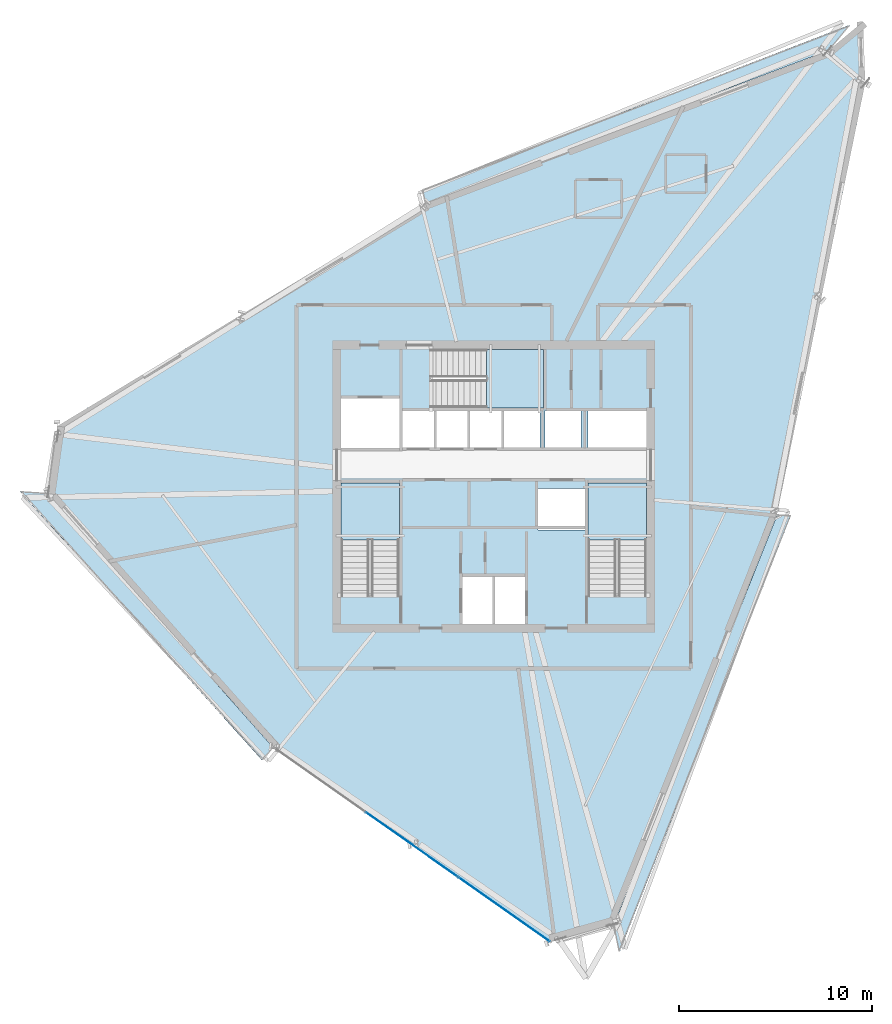
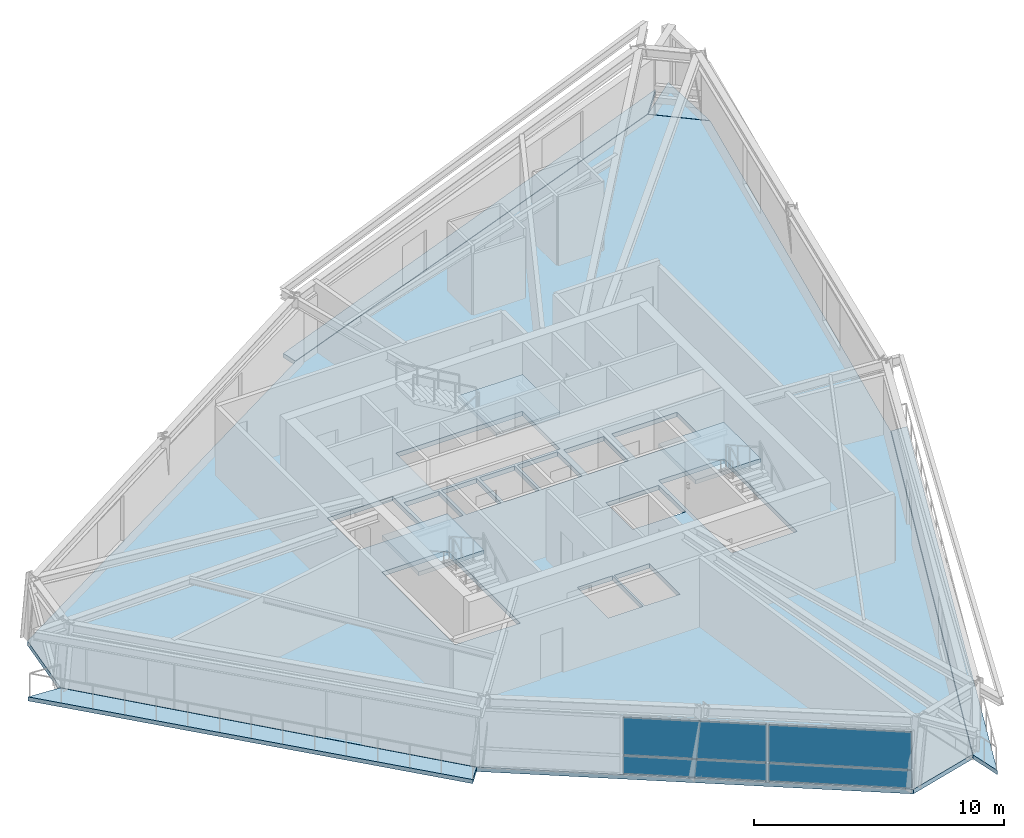
# One storey, part 5 of 13: 8 slabs, 4 plates, 4 elements without a shape of their own.
"""IFC4 building model written with IfcOpenShell, lengths in metres."""

from ifc_helpers import new_model, si_unit, direction, frame, origin, origin_2d, place, context, subcontext, project, spatial, polyline, rectangle, outline, extrude, source, transform, mapped, material, layer, layer_set, type_object, element, aggregate, save


model = new_model("IFC4")

# Units and contexts
model_context = context("Model", 3, precision=1e-05, world=origin(), true_north=direction((0.0, 1.0)))
body_context = subcontext(model_context, "Body", "Model", "MODEL_VIEW")
ifc_project = project(units=[si_unit("LENGTHUNIT", "METRE"), si_unit("AREAUNIT", "SQUARE_METRE"), si_unit("VOLUMEUNIT", "CUBIC_METRE"), si_unit("PLANEANGLEUNIT", "RADIAN"), si_unit("MASSUNIT", "GRAM", prefix="KILO")], contexts=[model_context])

# Site, building, storey
site_placement = place(None, origin())
site = spatial("IfcSite", under=ifc_project, at=site_placement, CompositionType="ELEMENT")
building_placement = place(site_placement, origin())
building = spatial("IfcBuilding", under=site, at=building_placement, Name="Olszyna Solenne Hotel", CompositionType="ELEMENT")
storey_placement = place(building_placement, frame((0.0, 0.0, 238.10009765625)))
storey = spatial("IfcBuildingStorey", under=building, at=storey_placement, Name="L63", CompositionType="ELEMENT", Elevation=238.10009765625)

# Stair, slab
ifc_material_1 = material(Name="Concrete C40/50", Category="concrete")
stair_type = type_object("IfcStairType", Name="STR-C1", PredefinedType="TWO_QUARTER_WINDING_STAIR", material=ifc_material_1)
stair_1_placement = place(storey_placement, origin())
stair_1 = element("IfcStair", 1, at=stair_1_placement, inside=storey, type_object=stair_type, Name="L63 ST1", PredefinedType="TWO_QUARTER_WINDING_STAIR")
ifc_layer_1 = layer(ifc_material_1, 0.18994140625, Name="Concrete C40/50")
ifc_layer_set_1 = layer_set([ifc_layer_1], Name="Concrete C40/50")
slab_type_1 = type_object("IfcSlabType", Name="SL-LN190", PredefinedType="LANDING", material=ifc_layer_set_1)
slab_1_placement = place(storey_placement, frame((0.0, 0.0, 1.599853515625)))
slab_1 = element("IfcSlab", 2, at=slab_1_placement, type_object=slab_type_1, Name="ST1 landing 1", PredefinedType="LANDING", context=body_context, shape_type="SweptSolid", body=[
    extrude(outline(polyline([(33.1201171875, 23.85009765625), (33.1201171875, 26.800048828125), (30.10009765625, 26.800048828125), (30.10009765625, 23.85009765625), (33.1201171875, 23.85009765625)])), origin(), (0.0, 0.0, 1.0), 0.199951171875),
])
aggregate(stair_1, [slab_1])

stair_2_placement = place(storey_placement, origin())
stair_2 = element("IfcStair", 3, at=stair_2_placement, inside=storey, type_object=stair_type, Name="L63 ST2", PredefinedType="TWO_QUARTER_WINDING_STAIR")
slab_2_placement = place(storey_placement, frame((0.0, 0.0, 1.599853515625)))
slab_2 = element("IfcSlab", 4, at=slab_2_placement, type_object=slab_type_1, Name="ST2 landing 1", PredefinedType="LANDING", context=body_context, shape_type="SweptSolid", body=[
    extrude(outline(polyline([(45.89990234375, 23.85009765625), (45.89990234375, 26.800048828125), (42.8798828125, 26.800048828125), (42.8798828125, 23.85009765625), (45.89990234375, 23.85009765625)])), origin(), (0.0, 0.0, 1.0), 0.199951171875),
])
aggregate(stair_2, [slab_2])

stair_3_placement = place(storey_placement, origin())
stair_3 = element("IfcStair", 5, at=stair_3_placement, inside=storey, type_object=stair_type, Name="L63 ST3", PredefinedType="TWO_QUARTER_WINDING_STAIR")
slab_3_placement = place(storey_placement, frame((0.0, 0.0, 1.599853515625)))
slab_3 = element("IfcSlab", 6, at=slab_3_placement, type_object=slab_type_1, Name="ST3 landing 1", PredefinedType="LANDING", context=body_context, shape_type="SweptSolid", body=[
    extrude(outline(polyline([(37.6298828125, 30.679931640625), (40.580078125, 30.679931640625), (40.580078125, 33.699951171875), (37.6298828125, 33.699951171875), (37.6298828125, 30.679931640625)])), origin(), (0.0, 0.0, 1.0), 0.199951171875),
])
aggregate(stair_3, [slab_3])

# Slabs
ifc_material_2 = material(Name="Precast concrete C45/55", Category="concrete")
ifc_layer_2 = layer(ifc_material_2, 0.199951171875, Name="Precast concrete C45/55")
ifc_layer_set_2 = layer_set([ifc_layer_2], Name="Precast concrete C45/55")
slab_type_2 = type_object("IfcSlabType", Name="SL-LOG200", PredefinedType="FLOOR", material=ifc_layer_set_2)
slab_4_placement = place(storey_placement, frame((0.0, 0.0, -0.2001953125)))
element("IfcSlab", 7, at=slab_4_placement, inside=storey, type_object=slab_type_2, Name="Exterior loggia balcony slab SL-L63-LG1", PredefinedType="FLOOR", context=body_context, shape_type="SweptSolid", body=[
    extrude(outline(polyline([(34.46240234375, 41.268310546875), (55.2705078125, 49.142578125), (55.33349609375, 49.1953125), (56.4248046875, 50.4921875), (34.314453125, 41.984619140625), (34.46240234375, 41.268310546875)])), origin(), (0.0, 0.0, 1.0), 0.2001953125),
])
slab_5_placement = place(storey_placement, frame((0.0, 0.0, -0.2001953125)))
element("IfcSlab", 8, at=slab_5_placement, inside=storey, type_object=slab_type_2, Name="Exterior loggia balcony slab SL-L63-LG2", PredefinedType="FLOOR", context=body_context, shape_type="SweptSolid", body=[
    extrude(outline(polyline([(26.579833984375, 13.119384765625), (26.579345703125, 13.119873046875), (26.578125, 13.12109375), (14.93115234375, 26.232421875), (14.930419921875, 26.233642578125), (14.929443359375, 26.23486328125), (14.9287109375, 26.236083984375), (14.92822265625, 26.2373046875), (14.927978515625, 26.23876953125), (14.927490234375, 26.240234375), (14.927490234375, 26.24169921875), (14.927490234375, 26.242919921875), (14.927490234375, 26.243408203125), (13.493896484375, 26.342041015625), (26.01611328125, 12.44970703125), (26.579833984375, 13.119384765625)])), origin(), (0.0, 0.0, 1.0), 0.2001953125),
])
slab_6_placement = place(storey_placement, frame((0.0, 0.0, -0.2001953125)))
element("IfcSlab", 9, at=slab_6_placement, inside=storey, type_object=slab_type_2, Name="Exterior loggia balcony slab SL-L63-LG3", PredefinedType="FLOOR", context=body_context, shape_type="SweptSolid", body=[
    extrude(outline(polyline([(52.66552734375, 25.14404296875), (52.6650390625, 25.14208984375), (52.664794921875, 25.140625), (52.664306640625, 25.139404296875), (44.21533203125, 3.96240234375), (44.21484375, 3.961181640625), (44.214111328125, 3.959716796875), (44.213134765625, 3.95849609375), (44.212158203125, 3.95751953125), (44.2109375, 3.95654296875), (44.209716796875, 3.95556640625), (44.20849609375, 3.954833984375), (44.20703125, 3.9541015625), (44.20556640625, 3.95361328125), (44.20458984375, 3.953369140625), (44.503173828125, 2.505615234375), (53.37451171875, 25.09521484375), (52.66552734375, 25.14404296875)])), origin(), (0.0, 0.0, 1.0), 0.2001953125),
])
ifc_material_3 = material(Name="Concrete C50/60", Category="concrete")
ifc_layer_3 = layer(ifc_material_3, 0.219970703125, Name="Concrete C50/60")
ifc_layer_set_3 = layer_set([ifc_layer_3], Name="Concrete C50/60")
slab_type_3 = type_object("IfcSlabType", Name="SL-TW225", PredefinedType="FLOOR", material=ifc_layer_set_3)
slab_7_placement = place(storey_placement, frame((0.0, 0.0, -0.22021484375)))
element("IfcSlab", 10, at=slab_7_placement, inside=storey, type_object=slab_type_3, Name="Floor slab SL-TW225 SL-L63-01", PredefinedType="FLOOR", context=body_context, shape_type="SweptSolid", body=[
    extrude(outline(polyline([(57.2158203125, 47.4833984375), (55.2783203125, 49.12939453125), (34.46533203125, 41.25341796875), (15.426513671875, 29.732666015625), (14.9423828125, 26.242431640625), (26.58935546875, 13.131103515625), (40.935546875, 3.0439453125), (44.201416015625, 3.968017578125), (52.650390625, 25.14501953125), (57.2158203125, 47.4833984375)]), holes=[polyline([(30.10009765625, 20.949951171875), (33.1201171875, 20.949951171875), (33.1201171875, 26.800048828125), (30.10009765625, 26.800048828125), (30.10009765625, 20.949951171875)]), polyline([(42.8798828125, 20.949951171875), (45.89990234375, 20.949951171875), (45.89990234375, 26.800048828125), (42.8798828125, 26.800048828125), (42.8798828125, 20.949951171875)]), polyline([(34.72998046875, 30.679931640625), (40.580078125, 30.679931640625), (40.580078125, 33.699951171875), (34.72998046875, 33.699951171875), (34.72998046875, 30.679931640625)]), polyline([(36.340087890625, 19.5), (37.9599609375, 19.5), (37.9599609375, 21.9599609375), (36.340087890625, 21.9599609375), (36.340087890625, 19.5)]), polyline([(38.0400390625, 19.5), (39.659912109375, 19.5), (39.659912109375, 21.9599609375), (38.0400390625, 21.9599609375), (38.0400390625, 19.5)]), polyline([(30.10009765625, 28.60009765625), (33.1201171875, 28.60009765625), (33.1201171875, 31.159912109375), (30.10009765625, 31.159912109375), (30.10009765625, 28.60009765625)]), polyline([(40.280029296875, 24.360107421875), (42.719970703125, 24.360107421875), (42.719970703125, 26.5), (40.280029296875, 26.5), (40.280029296875, 24.360107421875)]), polyline([(33.280029296875, 28.60009765625), (34.89990234375, 28.60009765625), (34.89990234375, 30.550048828125), (33.280029296875, 30.550048828125), (33.280029296875, 28.60009765625)]), polyline([(35.030029296875, 28.60009765625), (36.64990234375, 28.60009765625), (36.64990234375, 30.550048828125), (35.030029296875, 30.550048828125), (35.030029296875, 28.60009765625)]), polyline([(36.780029296875, 28.60009765625), (38.39990234375, 28.60009765625), (38.39990234375, 30.550048828125), (36.780029296875, 30.550048828125), (36.780029296875, 28.60009765625)]), polyline([(38.530029296875, 28.60009765625), (40.389892578125, 28.60009765625), (40.389892578125, 30.550048828125), (38.530029296875, 30.550048828125), (38.530029296875, 28.60009765625)]), polyline([(40.659912109375, 28.60009765625), (42.52001953125, 28.60009765625), (42.52001953125, 30.550048828125), (40.659912109375, 30.550048828125), (40.659912109375, 28.60009765625)]), polyline([(42.8798828125, 28.60009765625), (45.89990234375, 28.60009765625), (45.89990234375, 30.550048828125), (42.8798828125, 30.550048828125), (42.8798828125, 28.60009765625)])]), origin(), (0.0, 0.0, 1.0), 0.22021484375),
])
slab_8_placement = place(storey_placement, frame((0.0, 0.0, -0.22021484375)))
element("IfcSlab", 11, at=slab_8_placement, inside=storey, type_object=slab_type_3, Name="Faceted glass-prism floor slab SL-L63-PR", PredefinedType="FLOOR", context=body_context, shape_type="SweptSolid", body=[
    extrude(outline(polyline([(55.285888671875, 49.135986328125), (57.215087890625, 47.4970703125), (57.1083984375, 50.658203125), (55.285888671875, 49.135986328125)])), origin(), (0.0, 0.0, 1.0), 0.22021484375),
])

# Curtain wall, plates
ifc_material_4 = material(Name="Anodised bronze aluminium", Category="aluminium")
curtain_wall_type = type_object("IfcCurtainWallType", Name="CW-SYS-4", PredefinedType="NOTDEFINED", material=ifc_material_4)
curtain_wall_placement = place(storey_placement, origin())
curtain_wall = element("IfcCurtainWall", 12, at=curtain_wall_placement, inside=storey, type_object=curtain_wall_type, Name="Unitised curtain wall CW-SYS-4 CW-L63-01", PredefinedType="NOTDEFINED")
ifc_material_5 = material(Name="Terracotta cladding", Category="masonry")
plate_type_1 = type_object("IfcPlateType", Name="PN-SP1", PredefinedType="CURTAIN_PANEL", material=ifc_material_5)
shared_shape_1 = source(origin(), body_context, "Body", "SweptSolid", [
    extrude(rectangle(XDim=5.748291015625, YDim=0.035888671875, at=origin_2d()), origin(), (0.0, 0.0, 1.0), 0.8525390625),
])
plate_1_placement = place(storey_placement, frame((38.53125, 4.734375, 0.06494140625), z_axis=(0.0, 0.0, 1.0), x_axis=(0.818031086705, -0.575174009483, 0.0)))
plate_1 = element("IfcPlate", 13, at=plate_1_placement, type_object=plate_type_1, Name="Curtain-wall panel PN-SP1 CP-L63-01-05", PredefinedType="CURTAIN_PANEL", context=body_context, shape_type="MappedRepresentation", body=[
    mapped(shared_shape_1, transform((0.0, 0.0, 0.0), x_axis=(1.0, 0.0, 0.0), y_axis=(0.0, 1.0, 0.0), z_axis=(0.0, 0.0, 1.0), scale=1.0)),
])
ifc_material_6 = material(Name="Low-E triple glazing", Category="glass")
plate_type_2 = type_object("IfcPlateType", Name="PN-GL1", PredefinedType="CURTAIN_PANEL", material=ifc_material_6)
shared_shape_2 = source(origin(), body_context, "Body", "SweptSolid", [
    extrude(rectangle(XDim=5.748291015625, YDim=0.035888671875, at=origin_2d()), origin(), (0.0, 0.0, 1.0), 1.824462890625),
])
plate_2_placement = place(storey_placement, frame((38.53125, 4.734375, 0.982421875), z_axis=(0.0, 0.0, 1.0), x_axis=(0.818031086705, -0.575174009483, 0.0)))
plate_2 = element("IfcPlate", 14, at=plate_2_placement, type_object=plate_type_2, Name="Curtain-wall panel PN-GL1 CP-L63-01-06", PredefinedType="CURTAIN_PANEL", context=body_context, shape_type="MappedRepresentation", body=[
    mapped(shared_shape_2, transform((0.0, 0.0, 0.0), x_axis=(1.0, 0.0, 0.0), y_axis=(0.0, 1.0, 0.0), z_axis=(0.0, 0.0, 1.0), scale=1.0)),
])
shared_shape_3 = source(origin(), body_context, "Body", "SweptSolid", [
    extrude(rectangle(XDim=5.78076171875, YDim=0.035888671875, at=origin_2d()), origin(), (0.0, 0.0, 1.0), 0.8525390625),
])
plate_3_placement = place(storey_placement, frame((33.762451171875, 8.08740234375, 0.06494140625), z_axis=(0.0, 0.0, 1.0), x_axis=(0.818031086705, -0.575174009483, 0.0)))
plate_3 = element("IfcPlate", 15, at=plate_3_placement, type_object=plate_type_1, Name="Curtain-wall panel PN-SP1 CP-L63-01-03", PredefinedType="CURTAIN_PANEL", context=body_context, shape_type="MappedRepresentation", body=[
    mapped(shared_shape_3, transform((0.0, 0.0, 0.0), x_axis=(1.0, 0.0, 0.0), y_axis=(0.0, 1.0, 0.0), z_axis=(0.0, 0.0, 1.0), scale=1.0)),
])
shared_shape_4 = source(origin(), body_context, "Body", "SweptSolid", [
    extrude(rectangle(XDim=5.78076171875, YDim=0.035888671875, at=origin_2d()), origin(), (0.0, 0.0, 1.0), 1.824462890625),
])
plate_4_placement = place(storey_placement, frame((33.762451171875, 8.08740234375, 0.982421875), z_axis=(0.0, 0.0, 1.0), x_axis=(0.818031086705, -0.575174009483, 0.0)))
plate_4 = element("IfcPlate", 16, at=plate_4_placement, type_object=plate_type_2, Name="Curtain-wall panel PN-GL1 CP-L63-01-04", PredefinedType="CURTAIN_PANEL", context=body_context, shape_type="MappedRepresentation", body=[
    mapped(shared_shape_4, transform((0.0, 0.0, 0.0), x_axis=(1.0, 0.0, 0.0), y_axis=(0.0, 1.0, 0.0), z_axis=(0.0, 0.0, 1.0), scale=1.0)),
])
aggregate(curtain_wall, [plate_3, plate_4, plate_1, plate_2])

save(model, "model.ifc")
